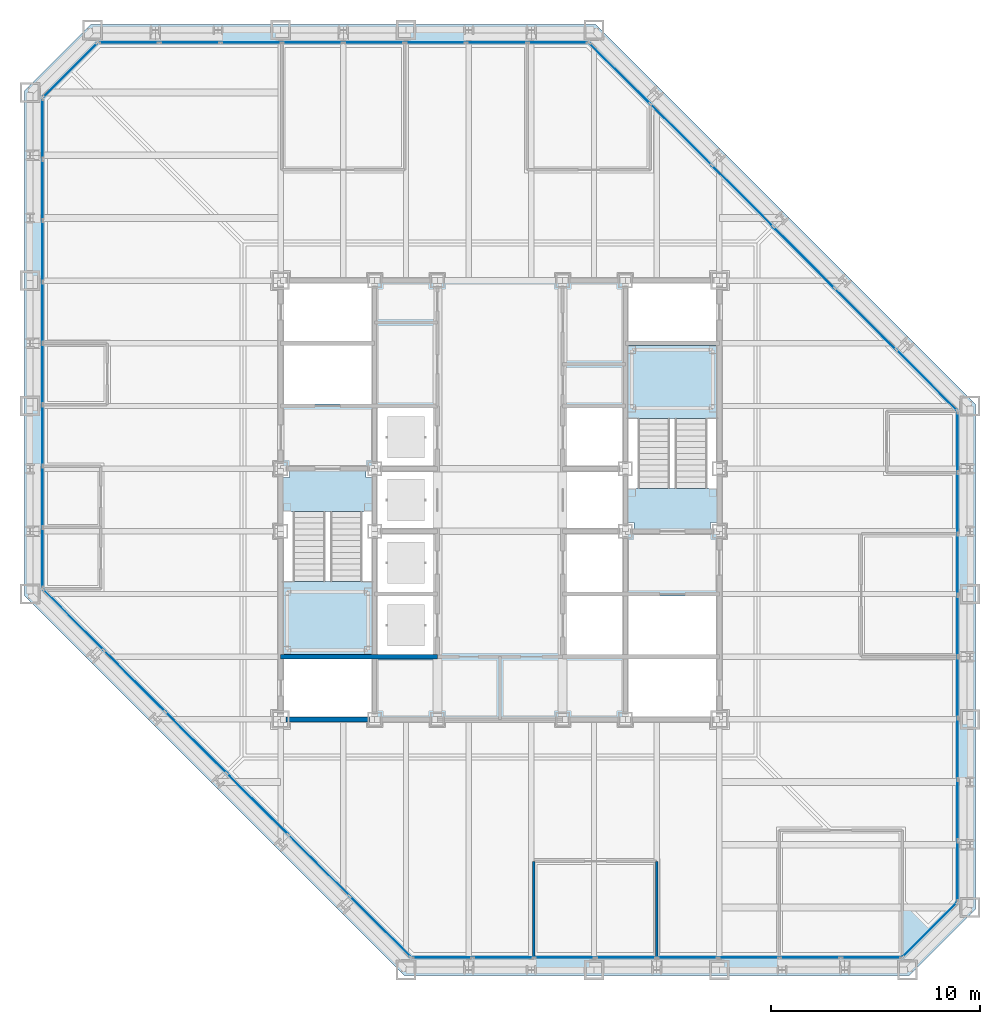
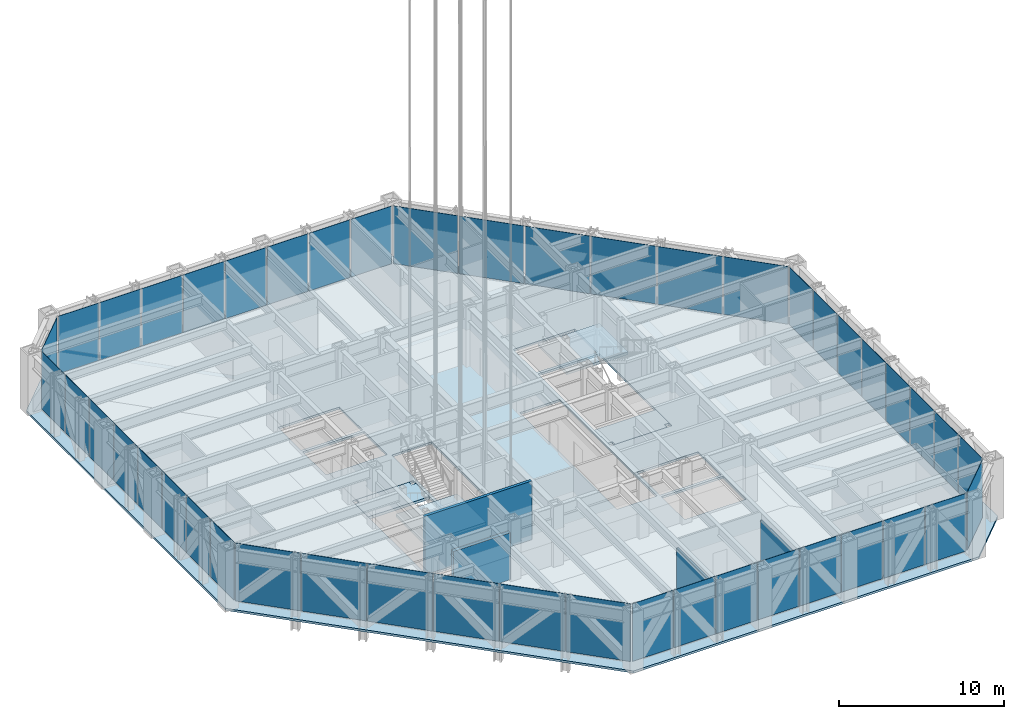
# One storey, part 9 of 26: 46 plates, 5 slabs, 4 walls, 10 elements without a shape of their own.
"""IFC4 building model written with IfcOpenShell, lengths in metres."""

import ifcopenshell
import ifcopenshell.guid

model = None  # the IFC model being written
_history = None  # IfcOwnerHistory: only IFC2X3 demands one
_inside = {}  # id of a spatial element -> (the spatial element, [elements in it])
_under = {}  # id of a project, library or spatial element -> (it, [spatial elements below it])
_declared = {}  # id of a project -> (the project, [libraries it declares])
_typed = {}  # id of a type object -> (the type object, [elements of that type])
_made_of = {}  # id of a material, layer set ... -> (it, [elements and type objects made of it])


def new_model(schema):
    """Start an empty IFC model of exactly this schema.

    Asked for "IFC4X3", IfcOpenShell would pick the latest addendum, in which some entities
    have other attributes; the version numbers below select the first issue.
    IFC2X3 requires an IfcOwnerHistory on every rooted entity: one is made here for all.
    """
    global model, _history
    if schema == "IFC4X3":
        model = ifcopenshell.file(schema_version=(4, 3, 0, 0))
    else:
        model = ifcopenshell.file(schema=schema)
    _inside.clear()
    _under.clear()
    _declared.clear()
    _typed.clear()
    _made_of.clear()
    _history = None
    if model.schema == "IFC2X3":
        org = make("IfcOrganization", Name="unknown")
        user = make(
            "IfcPersonAndOrganization",
            ThePerson=make("IfcPerson", FamilyName="unknown"),
            TheOrganization=org,
        )
        app = make(
            "IfcApplication",
            ApplicationDeveloper=org,
            Version="unknown",
            ApplicationFullName="unknown",
            ApplicationIdentifier="unknown",
        )
        _history = make(
            "IfcOwnerHistory",
            OwningUser=user,
            OwningApplication=app,
            ChangeAction="ADDED",
            CreationDate=0,
        )
    return model


def make(cls, **values):
    """One entity of the class cls with the attributes given. An attribute that is None is left unset."""
    return model.create_entity(
        cls, **{name: value for name, value in values.items() if value is not None}
    )


def rooted(cls, **values):
    """An entity with a GlobalId (a new one), such as an element, a storey or a relation."""
    return make(cls, GlobalId=ifcopenshell.guid.new(), OwnerHistory=_history, **values)


def si_unit(unit_type, name, prefix=None):
    """IfcSIUnit, for example si_unit("LENGTHUNIT", "METRE", prefix="MILLI")."""
    return make("IfcSIUnit", UnitType=unit_type, Prefix=prefix, Name=name)


def assignment(units):
    """IfcUnitAssignment: the units of a project."""
    return None if units is None else make("IfcUnitAssignment", Units=units)


def point(xyz):
    """IfcCartesianPoint."""
    return None if xyz is None else make("IfcCartesianPoint", Coordinates=xyz)


def direction(xyz):
    """IfcDirection."""
    return None if xyz is None else make("IfcDirection", DirectionRatios=xyz)


def frame(location, z_axis=None, x_axis=None):
    """IfcAxis2Placement3D, a coordinate frame: its origin and axes. An axis left out is left unset."""
    return make(
        "IfcAxis2Placement3D",
        Location=point(location),
        Axis=direction(z_axis),
        RefDirection=direction(x_axis),
    )


def frame_2d(location, x_axis=None):
    """IfcAxis2Placement2D, a coordinate frame in the plane: its origin and x axis."""
    return make(
        "IfcAxis2Placement2D", Location=point(location), RefDirection=direction(x_axis)
    )


def origin():
    """The frame at (0, 0, 0) with its axes left unset."""
    return frame((0.0, 0.0, 0.0))


def origin_2d():
    """The frame at (0, 0) in the plane with its x axis left unset."""
    return frame_2d((0.0, 0.0))


def place(relative_to, where):
    """IfcLocalPlacement: puts the frame where relative to a parent placement (None: the world)."""
    return make(
        "IfcLocalPlacement", PlacementRelTo=relative_to, RelativePlacement=where
    )


def context(
    kind, dimensions, precision=None, world=None, true_north=None, identifier=None
):
    """IfcGeometricRepresentationContext, for example the 3D "Model" context."""
    return make(
        "IfcGeometricRepresentationContext",
        ContextIdentifier=identifier,
        ContextType=kind,
        CoordinateSpaceDimension=dimensions,
        Precision=precision,
        WorldCoordinateSystem=world,
        TrueNorth=true_north,
    )


def subcontext(parent, identifier, kind, view, scale=None):
    """IfcGeometricRepresentationSubContext, for example "Body" below "Model"."""
    return make(
        "IfcGeometricRepresentationSubContext",
        ContextIdentifier=identifier,
        ContextType=kind,
        ParentContext=parent,
        TargetScale=scale,
        TargetView=view,
    )


def project(units=None, contexts=None):
    """IfcProject with its units and contexts."""
    return rooted(
        "IfcProject",
        Name="project",
        RepresentationContexts=contexts,
        UnitsInContext=assignment(units),
    )


def spatial(cls, under=None, at=None, **own):
    """A site, building, storey or space (cls), placed at a placement, below another one or the project."""
    s = rooted(cls, ObjectPlacement=at, **own)
    if under is not None:
        _under.setdefault(under.id(), (under, []))[1].append(s)
    return s


def polyline(points):
    """IfcPolyline through the points."""
    return make("IfcPolyline", Points=[point(p) for p in points])


def profile(cls, at=None, kind="AREA", **sizes):
    """A parametric profile (cls). Its sizes go by their IFC names, for example OverallWidth=200.0."""
    return make(cls, ProfileType=kind, Position=at, **sizes)


def rectangle(**sizes):
    """IfcRectangleProfileDef."""
    return profile("IfcRectangleProfileDef", **sizes)


def outline(outer, holes=None, kind="AREA"):
    """IfcArbitraryClosedProfileDef: a profile drawn as a closed curve; with holes, ...WithVoids."""
    if holes is None:
        return make("IfcArbitraryClosedProfileDef", ProfileType=kind, OuterCurve=outer)
    return make(
        "IfcArbitraryProfileDefWithVoids",
        ProfileType=kind,
        OuterCurve=outer,
        InnerCurves=holes,
    )


def extrude(swept, where, along, depth):
    """IfcExtrudedAreaSolid: the profile swept, set in the frame where, extruded along a direction by depth."""
    return make(
        "IfcExtrudedAreaSolid",
        SweptArea=swept,
        Position=where,
        ExtrudedDirection=direction(along),
        Depth=depth,
    )


def shape(context_of_items, identifier, shape_type, items):
    """IfcShapeRepresentation: the items that make up one representation, for example the "Body"."""
    return make(
        "IfcShapeRepresentation",
        ContextOfItems=context_of_items,
        RepresentationIdentifier=identifier,
        RepresentationType=shape_type,
        Items=items,
    )


def material(Name=None, Category=None):
    """IfcMaterial."""
    return make("IfcMaterial", Name=Name, Category=Category)


def layer(
    of_material, thickness, ventilated=None, Name=None, Category=None, Priority=None
):
    """IfcMaterialLayer: one layer of a wall or slab, of a material (None: an air gap)."""
    return make(
        "IfcMaterialLayer",
        Material=of_material,
        LayerThickness=thickness,
        IsVentilated=ventilated,
        Name=Name,
        Category=Category,
        Priority=Priority,
    )


def layer_set(layers, Name=None):
    """IfcMaterialLayerSet."""
    return make("IfcMaterialLayerSet", MaterialLayers=layers, LayerSetName=Name)


def made_of(thing, what):
    """Note that an element or type object is made of a material, layer set ...; save() writes the relation."""
    if what is not None:
        _made_of.setdefault(what.id(), (what, []))[1].append(thing)
    return thing


def type_object(cls, material=None, **own):
    """A type object (cls), such as IfcWallType, which elements share."""
    return made_of(rooted(cls, **own), material)


def element(
    cls,
    number,
    at=None,
    inside=None,
    cuts=None,
    type_object=None,
    material=None,
    context=None,
    identifier="Body",
    shape_type=None,
    held_by="IfcProductDefinitionShape",
    body=None,
    shapes=None,
    **own,
):
    """One element of the class cls, such as IfcWall. Its Tag is "e" and its number.

    at: its placement. inside: the storey or other place that contains it. cuts: it is an
    opening in that element (IfcRelVoidsElement). A single representation is given by context,
    identifier, shape_type and body (its items); several are given by shapes. held_by: the class
    of the entity that holds the representations. save() writes the other relations.
    """
    e = rooted(cls, Tag="e%d" % number, ObjectPlacement=at, **own)
    if body is not None:
        shapes = [shape(context, identifier, shape_type, body)]
    if shapes is not None:
        e.Representation = make(held_by, Representations=shapes)
    if inside is not None:
        _inside.setdefault(inside.id(), (inside, []))[1].append(e)
    if cuts is not None:
        rooted(
            "IfcRelVoidsElement", RelatingBuildingElement=cuts, RelatedOpeningElement=e
        )
    if type_object is not None:
        _typed.setdefault(type_object.id(), (type_object, []))[1].append(e)
    return made_of(e, material)


def aggregate(whole, parts):
    """IfcRelAggregates: a whole, such as a stair, and the parts it consists of."""
    return rooted("IfcRelAggregates", RelatingObject=whole, RelatedObjects=parts)


def save(model, path):
    """Write the relations noted so far, then the file.

    IfcRelAggregates (storeys below a building ...), IfcRelContainedInSpatialStructure (elements
    in a storey), IfcRelDefinesByType, IfcRelAssociatesMaterial and IfcRelDeclares: one each for
    every whole, place, type object, material and project.
    """
    for whole, parts in _under.values():
        aggregate(whole, parts)
    for where, things in _inside.values():
        rooted(
            "IfcRelContainedInSpatialStructure",
            RelatedElements=things,
            RelatingStructure=where,
        )
    for kind, things in _typed.values():
        rooted("IfcRelDefinesByType", RelatedObjects=things, RelatingType=kind)
    for what, things in _made_of.values():
        rooted("IfcRelAssociatesMaterial", RelatedObjects=things, RelatingMaterial=what)
    for by, libraries in _declared.values():
        rooted("IfcRelDeclares", RelatingContext=by, RelatedDefinitions=libraries)
    model.write(path)


model = new_model("IFC4")

# Units and contexts
model_context = context("Model", 3, precision=1e-05, world=origin(), true_north=direction((0.0, 1.0)))
body_context = subcontext(model_context, "Body", "Model", "MODEL_VIEW")
ifc_project = project(units=[si_unit("LENGTHUNIT", "METRE"), si_unit("AREAUNIT", "SQUARE_METRE"), si_unit("VOLUMEUNIT", "CUBIC_METRE"), si_unit("PLANEANGLEUNIT", "RADIAN"), si_unit("MASSUNIT", "GRAM", prefix="KILO")], contexts=[model_context])

# Site, building, storey
site_placement = place(None, origin())
site = spatial("IfcSite", under=ifc_project, at=site_placement, CompositionType="ELEMENT")
building_placement = place(site_placement, origin())
building = spatial("IfcBuilding", under=site, at=building_placement, Name="Chuquiago Exchange Tower", CompositionType="ELEMENT")
storey_placement = place(building_placement, frame((0.0, 0.0, 102.300048828125)))
storey = spatial("IfcBuildingStorey", under=building, at=storey_placement, Name="L21", CompositionType="ELEMENT", Elevation=102.300048828125)

# Curtain wall, plates
ifc_material_1 = material(Name="Aluminium curtain wall system", Category="aluminium")
ifc_layer_1 = layer(ifc_material_1, 0.22509765625)
ifc_layer_set_1 = layer_set([ifc_layer_1], Name="CW2 office curtain wall")
curtain_wall_type_1 = type_object("IfcCurtainWallType", Name="CW2 office curtain wall", PredefinedType="NOTDEFINED", material=ifc_layer_set_1)
curtain_wall_1_placement = place(storey_placement, origin())
curtain_wall_1 = element("IfcCurtainWall", 1, at=curtain_wall_1_placement, inside=storey, type_object=curtain_wall_type_1, Name="CW2 curtain wall L21", PredefinedType="NOTDEFINED")
ifc_material_2 = material(Name="Glass, insulating unit", Category="glass")
ifc_layer_2 = layer(ifc_material_2, 0.030029296875)
ifc_layer_set_2 = layer_set([ifc_layer_2], Name="CW2-P panel 30")
plate_type_1 = type_object("IfcPlateType", Name="CW2-P panel 30", PredefinedType="CURTAIN_PANEL", material=ifc_layer_set_2)
plate_1_placement = place(storey_placement, frame((25.59326171875, 0.60009765625, 0.06494140625), z_axis=(0.0, 0.0, 1.0), x_axis=(1.0, 0.0, 0.0)))
plate_1 = element("IfcPlate", 2, at=plate_1_placement, type_object=plate_type_1, Name="CW2 panel 3.1", PredefinedType="CURTAIN_PANEL", context=body_context, shape_type="SweptSolid", body=[
    extrude(rectangle(XDim=2.872802734375, YDim=0.030029296875, at=origin_2d()), origin(), (0.0, 0.0, 1.0), 4.27490234375),
])
plate_2_placement = place(storey_placement, frame((34.40673828125, 0.60009765625, 0.06494140625), z_axis=(0.0, 0.0, 1.0), x_axis=(1.0, 0.0, 0.0)))
plate_2 = element("IfcPlate", 3, at=plate_2_placement, type_object=plate_type_1, Name="CW2 panel 6.1", PredefinedType="CURTAIN_PANEL", context=body_context, shape_type="SweptSolid", body=[
    extrude(rectangle(XDim=2.872802734375, YDim=0.030029296875, at=origin_2d()), origin(), (0.0, 0.0, 1.0), 4.27490234375),
])

curtain_wall_2_placement = place(storey_placement, origin())
curtain_wall_2 = element("IfcCurtainWall", 4, at=curtain_wall_2_placement, inside=storey, type_object=curtain_wall_type_1, Name="CW2 curtain wall L21", PredefinedType="NOTDEFINED")
plate_3_placement = place(storey_placement, frame((44.39990234375, 10.59326171875, 0.06494140625), z_axis=(0.0, 0.0, 1.0), x_axis=(0.0, 1.0, 0.0)))
plate_3 = element("IfcPlate", 5, at=plate_3_placement, type_object=plate_type_1, Name="CW2 panel 3.1", PredefinedType="CURTAIN_PANEL", context=body_context, shape_type="SweptSolid", body=[
    extrude(rectangle(XDim=2.872802734375, YDim=0.030029296875, at=origin_2d()), origin(), (0.0, 0.0, 1.0), 4.27490234375),
])
plate_4_placement = place(storey_placement, frame((44.39990234375, 19.40673828125, 0.06494140625), z_axis=(0.0, 0.0, 1.0), x_axis=(0.0, 1.0, 0.0)))
plate_4 = element("IfcPlate", 6, at=plate_4_placement, type_object=plate_type_1, Name="CW2 panel 6.1", PredefinedType="CURTAIN_PANEL", context=body_context, shape_type="SweptSolid", body=[
    extrude(rectangle(XDim=2.872802734375, YDim=0.030029296875, at=origin_2d()), origin(), (0.0, 0.0, 1.0), 4.27490234375),
])

curtain_wall_3_placement = place(storey_placement, origin())
curtain_wall_3 = element("IfcCurtainWall", 7, at=curtain_wall_3_placement, inside=storey, type_object=curtain_wall_type_1, Name="CW2 curtain wall L21", PredefinedType="NOTDEFINED")
plate_5_placement = place(storey_placement, frame((19.40673828125, 44.39990234375, 0.06494140625), z_axis=(0.0, 0.0, 1.0), x_axis=(-1.0, 0.0, 0.0)))
plate_5 = element("IfcPlate", 8, at=plate_5_placement, type_object=plate_type_1, Name="CW2 panel 3.1", PredefinedType="CURTAIN_PANEL", context=body_context, shape_type="SweptSolid", body=[
    extrude(rectangle(XDim=2.872802734375, YDim=0.030029296875, at=origin_2d()), origin(), (0.0, 0.0, 1.0), 4.27490234375),
])
plate_6_placement = place(storey_placement, frame((10.59326171875, 44.39990234375, 0.06494140625), z_axis=(0.0, 0.0, 1.0), x_axis=(-1.0, 0.0, 0.0)))
plate_6 = element("IfcPlate", 9, at=plate_6_placement, type_object=plate_type_1, Name="CW2 panel 6.1", PredefinedType="CURTAIN_PANEL", context=body_context, shape_type="SweptSolid", body=[
    extrude(rectangle(XDim=2.872802734375, YDim=0.030029296875, at=origin_2d()), origin(), (0.0, 0.0, 1.0), 4.27490234375),
])

curtain_wall_4_placement = place(storey_placement, origin())
curtain_wall_4 = element("IfcCurtainWall", 10, at=curtain_wall_4_placement, inside=storey, type_object=curtain_wall_type_1, Name="CW2 curtain wall L21", PredefinedType="NOTDEFINED")
plate_7_placement = place(storey_placement, frame((0.60009765625, 34.40673828125, 0.06494140625), z_axis=(0.0, 0.0, 1.0), x_axis=(0.0, -1.0, 0.0)))
plate_7 = element("IfcPlate", 11, at=plate_7_placement, type_object=plate_type_1, Name="CW2 panel 3.1", PredefinedType="CURTAIN_PANEL", context=body_context, shape_type="SweptSolid", body=[
    extrude(rectangle(XDim=2.872802734375, YDim=0.030029296875, at=origin_2d()), origin(), (0.0, 0.0, 1.0), 4.27490234375),
])
plate_8_placement = place(storey_placement, frame((0.60009765625, 25.59326171875, 0.06494140625), z_axis=(0.0, 0.0, 1.0), x_axis=(0.0, -1.0, 0.0)))
plate_8 = element("IfcPlate", 12, at=plate_8_placement, type_object=plate_type_1, Name="CW2 panel 6.1", PredefinedType="CURTAIN_PANEL", context=body_context, shape_type="SweptSolid", body=[
    extrude(rectangle(XDim=2.872802734375, YDim=0.030029296875, at=origin_2d()), origin(), (0.0, 0.0, 1.0), 4.27490234375),
])

# Plate
ifc_material_3 = material(Name="Insulated spandrel panel, pale anodised aluminium", Category="aluminium")
ifc_layer_3 = layer(ifc_material_3, 0.030029296875)
ifc_layer_set_3 = layer_set([ifc_layer_3], Name="CW2-P spandrel panel 30")
plate_type_2 = type_object("IfcPlateType", Name="CW2-P spandrel panel 30", PredefinedType="CURTAIN_PANEL", material=ifc_layer_set_3)
plate_9_placement = place(storey_placement, frame((19.733642578125, 0.60009765625, 0.06494140625), z_axis=(0.0, 0.0, 1.0), x_axis=(1.0, 0.0, 0.0)))
plate_9 = element("IfcPlate", 13, at=plate_9_placement, type_object=plate_type_2, Name="CW2 panel 1.1", PredefinedType="CURTAIN_PANEL", context=body_context, shape_type="SweptSolid", body=[
    extrude(rectangle(XDim=2.84033203125, YDim=0.030029296875, at=origin_2d()), origin(), (0.0, 0.0, 1.0), 4.27490234375),
])

plate_10_placement = place(storey_placement, frame((22.6552734375, 0.60009765625, 0.06494140625), z_axis=(0.0, 0.0, 1.0), x_axis=(1.0, 0.0, 0.0)))
plate_10 = element("IfcPlate", 14, at=plate_10_placement, type_object=plate_type_2, Name="CW2 panel 2.1", PredefinedType="CURTAIN_PANEL", context=body_context, shape_type="SweptSolid", body=[
    extrude(rectangle(XDim=2.872802734375, YDim=0.030029296875, at=origin_2d()), origin(), (0.0, 0.0, 1.0), 4.27490234375),
])

plate_11_placement = place(storey_placement, frame((28.531005859375, 0.60009765625, 0.06494140625), z_axis=(0.0, 0.0, 1.0), x_axis=(1.0, 0.0, 0.0)))
plate_11 = element("IfcPlate", 15, at=plate_11_placement, type_object=plate_type_2, Name="CW2 panel 4.1", PredefinedType="CURTAIN_PANEL", context=body_context, shape_type="SweptSolid", body=[
    extrude(rectangle(XDim=2.872802734375, YDim=0.030029296875, at=origin_2d()), origin(), (0.0, 0.0, 1.0), 4.27490234375),
])

plate_12_placement = place(storey_placement, frame((31.468994140625, 0.60009765625, 0.06494140625), z_axis=(0.0, 0.0, 1.0), x_axis=(1.0, 0.0, 0.0)))
plate_12 = element("IfcPlate", 16, at=plate_12_placement, type_object=plate_type_2, Name="CW2 panel 5.1", PredefinedType="CURTAIN_PANEL", context=body_context, shape_type="SweptSolid", body=[
    extrude(rectangle(XDim=2.872802734375, YDim=0.030029296875, at=origin_2d()), origin(), (0.0, 0.0, 1.0), 4.27490234375),
])

plate_13_placement = place(storey_placement, frame((37.3447265625, 0.60009765625, 0.06494140625), z_axis=(0.0, 0.0, 1.0), x_axis=(1.0, 0.0, 0.0)))
plate_13 = element("IfcPlate", 17, at=plate_13_placement, type_object=plate_type_2, Name="CW2 panel 7.1", PredefinedType="CURTAIN_PANEL", context=body_context, shape_type="SweptSolid", body=[
    extrude(rectangle(XDim=2.872802734375, YDim=0.030029296875, at=origin_2d()), origin(), (0.0, 0.0, 1.0), 4.27490234375),
])

plate_14_placement = place(storey_placement, frame((40.266357421875, 0.60009765625, 0.06494140625), z_axis=(0.0, 0.0, 1.0), x_axis=(1.0, 0.0, 0.0)))
plate_14 = element("IfcPlate", 18, at=plate_14_placement, type_object=plate_type_2, Name="CW2 panel 8.1", PredefinedType="CURTAIN_PANEL", context=body_context, shape_type="SweptSolid", body=[
    extrude(rectangle(XDim=2.84033203125, YDim=0.030029296875, at=origin_2d()), origin(), (0.0, 0.0, 1.0), 4.27490234375),
])

aggregate(curtain_wall_1, [plate_9, plate_10, plate_1, plate_11, plate_12, plate_2, plate_13, plate_14])

plate_15_placement = place(storey_placement, frame((44.39990234375, 4.733642578125, 0.06494140625), z_axis=(0.0, 0.0, 1.0), x_axis=(0.0, 1.0, 0.0)))
plate_15 = element("IfcPlate", 19, at=plate_15_placement, type_object=plate_type_2, Name="CW2 panel 1.1", PredefinedType="CURTAIN_PANEL", context=body_context, shape_type="SweptSolid", body=[
    extrude(rectangle(XDim=2.84033203125, YDim=0.030029296875, at=origin_2d()), origin(), (0.0, 0.0, 1.0), 4.27490234375),
])

plate_16_placement = place(storey_placement, frame((44.39990234375, 7.6552734375, 0.06494140625), z_axis=(0.0, 0.0, 1.0), x_axis=(0.0, 1.0, 0.0)))
plate_16 = element("IfcPlate", 20, at=plate_16_placement, type_object=plate_type_2, Name="CW2 panel 2.1", PredefinedType="CURTAIN_PANEL", context=body_context, shape_type="SweptSolid", body=[
    extrude(rectangle(XDim=2.872802734375, YDim=0.030029296875, at=origin_2d()), origin(), (0.0, 0.0, 1.0), 4.27490234375),
])

plate_17_placement = place(storey_placement, frame((44.39990234375, 13.531005859375, 0.06494140625), z_axis=(0.0, 0.0, 1.0), x_axis=(0.0, 1.0, 0.0)))
plate_17 = element("IfcPlate", 21, at=plate_17_placement, type_object=plate_type_2, Name="CW2 panel 4.1", PredefinedType="CURTAIN_PANEL", context=body_context, shape_type="SweptSolid", body=[
    extrude(rectangle(XDim=2.872802734375, YDim=0.030029296875, at=origin_2d()), origin(), (0.0, 0.0, 1.0), 4.27490234375),
])

plate_18_placement = place(storey_placement, frame((44.39990234375, 16.468994140625, 0.06494140625), z_axis=(0.0, 0.0, 1.0), x_axis=(0.0, 1.0, 0.0)))
plate_18 = element("IfcPlate", 22, at=plate_18_placement, type_object=plate_type_2, Name="CW2 panel 5.1", PredefinedType="CURTAIN_PANEL", context=body_context, shape_type="SweptSolid", body=[
    extrude(rectangle(XDim=2.872802734375, YDim=0.030029296875, at=origin_2d()), origin(), (0.0, 0.0, 1.0), 4.27490234375),
])

plate_19_placement = place(storey_placement, frame((44.39990234375, 22.3447265625, 0.06494140625), z_axis=(0.0, 0.0, 1.0), x_axis=(0.0, 1.0, 0.0)))
plate_19 = element("IfcPlate", 23, at=plate_19_placement, type_object=plate_type_2, Name="CW2 panel 7.1", PredefinedType="CURTAIN_PANEL", context=body_context, shape_type="SweptSolid", body=[
    extrude(rectangle(XDim=2.872802734375, YDim=0.030029296875, at=origin_2d()), origin(), (0.0, 0.0, 1.0), 4.27490234375),
])

plate_20_placement = place(storey_placement, frame((44.39990234375, 25.266357421875, 0.06494140625), z_axis=(0.0, 0.0, 1.0), x_axis=(0.0, 1.0, 0.0)))
plate_20 = element("IfcPlate", 24, at=plate_20_placement, type_object=plate_type_2, Name="CW2 panel 8.1", PredefinedType="CURTAIN_PANEL", context=body_context, shape_type="SweptSolid", body=[
    extrude(rectangle(XDim=2.84033203125, YDim=0.030029296875, at=origin_2d()), origin(), (0.0, 0.0, 1.0), 4.27490234375),
])

aggregate(curtain_wall_2, [plate_15, plate_16, plate_3, plate_17, plate_18, plate_4, plate_19, plate_20])

plate_21_placement = place(storey_placement, frame((25.266357421875, 44.39990234375, 0.06494140625), z_axis=(0.0, 0.0, 1.0), x_axis=(-1.0, 0.0, 0.0)))
plate_21 = element("IfcPlate", 25, at=plate_21_placement, type_object=plate_type_2, Name="CW2 panel 1.1", PredefinedType="CURTAIN_PANEL", context=body_context, shape_type="SweptSolid", body=[
    extrude(rectangle(XDim=2.84033203125, YDim=0.030029296875, at=origin_2d()), origin(), (0.0, 0.0, 1.0), 4.27490234375),
])

plate_22_placement = place(storey_placement, frame((22.3447265625, 44.39990234375, 0.06494140625), z_axis=(0.0, 0.0, 1.0), x_axis=(-1.0, 0.0, 0.0)))
plate_22 = element("IfcPlate", 26, at=plate_22_placement, type_object=plate_type_2, Name="CW2 panel 2.1", PredefinedType="CURTAIN_PANEL", context=body_context, shape_type="SweptSolid", body=[
    extrude(rectangle(XDim=2.872802734375, YDim=0.030029296875, at=origin_2d()), origin(), (0.0, 0.0, 1.0), 4.27490234375),
])

plate_23_placement = place(storey_placement, frame((16.468994140625, 44.39990234375, 0.06494140625), z_axis=(0.0, 0.0, 1.0), x_axis=(-1.0, 0.0, 0.0)))
plate_23 = element("IfcPlate", 27, at=plate_23_placement, type_object=plate_type_2, Name="CW2 panel 4.1", PredefinedType="CURTAIN_PANEL", context=body_context, shape_type="SweptSolid", body=[
    extrude(rectangle(XDim=2.872802734375, YDim=0.030029296875, at=origin_2d()), origin(), (0.0, 0.0, 1.0), 4.27490234375),
])

plate_24_placement = place(storey_placement, frame((13.531005859375, 44.39990234375, 0.06494140625), z_axis=(0.0, 0.0, 1.0), x_axis=(-1.0, 0.0, 0.0)))
plate_24 = element("IfcPlate", 28, at=plate_24_placement, type_object=plate_type_2, Name="CW2 panel 5.1", PredefinedType="CURTAIN_PANEL", context=body_context, shape_type="SweptSolid", body=[
    extrude(rectangle(XDim=2.872802734375, YDim=0.030029296875, at=origin_2d()), origin(), (0.0, 0.0, 1.0), 4.27490234375),
])

plate_25_placement = place(storey_placement, frame((7.6552734375, 44.39990234375, 0.06494140625), z_axis=(0.0, 0.0, 1.0), x_axis=(-1.0, 0.0, 0.0)))
plate_25 = element("IfcPlate", 29, at=plate_25_placement, type_object=plate_type_2, Name="CW2 panel 7.1", PredefinedType="CURTAIN_PANEL", context=body_context, shape_type="SweptSolid", body=[
    extrude(rectangle(XDim=2.872802734375, YDim=0.030029296875, at=origin_2d()), origin(), (0.0, 0.0, 1.0), 4.27490234375),
])

plate_26_placement = place(storey_placement, frame((4.733642578125, 44.39990234375, 0.06494140625), z_axis=(0.0, 0.0, 1.0), x_axis=(-1.0, 0.0, 0.0)))
plate_26 = element("IfcPlate", 30, at=plate_26_placement, type_object=plate_type_2, Name="CW2 panel 8.1", PredefinedType="CURTAIN_PANEL", context=body_context, shape_type="SweptSolid", body=[
    extrude(rectangle(XDim=2.84033203125, YDim=0.030029296875, at=origin_2d()), origin(), (0.0, 0.0, 1.0), 4.27490234375),
])

aggregate(curtain_wall_3, [plate_21, plate_22, plate_5, plate_23, plate_24, plate_6, plate_25, plate_26])

plate_27_placement = place(storey_placement, frame((0.60009765625, 40.266357421875, 0.06494140625), z_axis=(0.0, 0.0, 1.0), x_axis=(0.0, -1.0, 0.0)))
plate_27 = element("IfcPlate", 31, at=plate_27_placement, type_object=plate_type_2, Name="CW2 panel 1.1", PredefinedType="CURTAIN_PANEL", context=body_context, shape_type="SweptSolid", body=[
    extrude(rectangle(XDim=2.84033203125, YDim=0.030029296875, at=origin_2d()), origin(), (0.0, 0.0, 1.0), 4.27490234375),
])

plate_28_placement = place(storey_placement, frame((0.60009765625, 37.3447265625, 0.06494140625), z_axis=(0.0, 0.0, 1.0), x_axis=(0.0, -1.0, 0.0)))
plate_28 = element("IfcPlate", 32, at=plate_28_placement, type_object=plate_type_2, Name="CW2 panel 2.1", PredefinedType="CURTAIN_PANEL", context=body_context, shape_type="SweptSolid", body=[
    extrude(rectangle(XDim=2.872802734375, YDim=0.030029296875, at=origin_2d()), origin(), (0.0, 0.0, 1.0), 4.27490234375),
])

plate_29_placement = place(storey_placement, frame((0.60009765625, 31.468994140625, 0.06494140625), z_axis=(0.0, 0.0, 1.0), x_axis=(0.0, -1.0, 0.0)))
plate_29 = element("IfcPlate", 33, at=plate_29_placement, type_object=plate_type_2, Name="CW2 panel 4.1", PredefinedType="CURTAIN_PANEL", context=body_context, shape_type="SweptSolid", body=[
    extrude(rectangle(XDim=2.872802734375, YDim=0.030029296875, at=origin_2d()), origin(), (0.0, 0.0, 1.0), 4.27490234375),
])

plate_30_placement = place(storey_placement, frame((0.60009765625, 28.531005859375, 0.06494140625), z_axis=(0.0, 0.0, 1.0), x_axis=(0.0, -1.0, 0.0)))
plate_30 = element("IfcPlate", 34, at=plate_30_placement, type_object=plate_type_2, Name="CW2 panel 5.1", PredefinedType="CURTAIN_PANEL", context=body_context, shape_type="SweptSolid", body=[
    extrude(rectangle(XDim=2.872802734375, YDim=0.030029296875, at=origin_2d()), origin(), (0.0, 0.0, 1.0), 4.27490234375),
])

plate_31_placement = place(storey_placement, frame((0.60009765625, 22.6552734375, 0.06494140625), z_axis=(0.0, 0.0, 1.0), x_axis=(0.0, -1.0, 0.0)))
plate_31 = element("IfcPlate", 35, at=plate_31_placement, type_object=plate_type_2, Name="CW2 panel 7.1", PredefinedType="CURTAIN_PANEL", context=body_context, shape_type="SweptSolid", body=[
    extrude(rectangle(XDim=2.872802734375, YDim=0.030029296875, at=origin_2d()), origin(), (0.0, 0.0, 1.0), 4.27490234375),
])

plate_32_placement = place(storey_placement, frame((0.60009765625, 19.733642578125, 0.06494140625), z_axis=(0.0, 0.0, 1.0), x_axis=(0.0, -1.0, 0.0)))
plate_32 = element("IfcPlate", 36, at=plate_32_placement, type_object=plate_type_2, Name="CW2 panel 8.1", PredefinedType="CURTAIN_PANEL", context=body_context, shape_type="SweptSolid", body=[
    extrude(rectangle(XDim=2.84033203125, YDim=0.030029296875, at=origin_2d()), origin(), (0.0, 0.0, 1.0), 4.27490234375),
])

aggregate(curtain_wall_4, [plate_27, plate_28, plate_7, plate_29, plate_30, plate_8, plate_31, plate_32])

# Curtain wall, plate
ifc_material_4 = material(Name="Aluminium curtain wall system", Category="aluminium")
ifc_layer_4 = layer(ifc_material_4, 0.199951171875)
ifc_layer_set_4 = layer_set([ifc_layer_4], Name="CW3 facet curtain wall")
curtain_wall_type_2 = type_object("IfcCurtainWallType", Name="CW3 facet curtain wall", PredefinedType="NOTDEFINED", material=ifc_layer_set_4)
curtain_wall_5_placement = place(storey_placement, origin())
curtain_wall_5 = element("IfcCurtainWall", 37, at=curtain_wall_5_placement, inside=storey, type_object=curtain_wall_type_2, Name="CW3 curtain wall L21", PredefinedType="NOTDEFINED")
ifc_material_5 = material(Name="Insulated spandrel panel, pale anodised aluminium", Category="aluminium")
ifc_layer_5 = layer(ifc_material_5, 0.030029296875)
ifc_layer_set_5 = layer_set([ifc_layer_5], Name="CW3-P spandrel panel 30")
plate_type_3 = type_object("IfcPlateType", Name="CW3-P spandrel panel 30", PredefinedType="CURTAIN_PANEL", material=ifc_layer_set_5)
plate_33_placement = place(storey_placement, frame((43.07568359375, 1.92431640625, 0.06494140625), z_axis=(0.0, 0.0, 1.0), x_axis=(0.707106781187, 0.707106781187, 0.0)))
plate_33 = element("IfcPlate", 38, at=plate_33_placement, type_object=plate_type_3, Name="CW3 panel 1.1", PredefinedType="CURTAIN_PANEL", context=body_context, shape_type="SweptSolid", body=[
    extrude(rectangle(XDim=3.615478515625, YDim=0.030029296875, at=origin_2d()), origin(), (0.0, 0.0, 1.0), 4.27490234375),
])
aggregate(curtain_wall_5, [plate_33])

# Curtain wall, plates
curtain_wall_6_placement = place(storey_placement, origin())
curtain_wall_6 = element("IfcCurtainWall", 39, at=curtain_wall_6_placement, inside=storey, type_object=curtain_wall_type_2, Name="CW3 curtain wall L21", PredefinedType="NOTDEFINED")
plate_34_placement = place(storey_placement, frame((42.917724609375, 28.233642578125, 0.06494140625), z_axis=(0.0, 0.0, 1.0), x_axis=(-0.707106781187, 0.707106781187, 0.0)))
plate_34 = element("IfcPlate", 40, at=plate_34_placement, type_object=plate_type_3, Name="CW3 panel 1.1", PredefinedType="CURTAIN_PANEL", context=body_context, shape_type="SweptSolid", body=[
    extrude(rectangle(XDim=4.062255859375, YDim=0.030029296875, at=origin_2d()), origin(), (0.0, 0.0, 1.0), 4.27490234375),
])
plate_35_placement = place(storey_placement, frame((39.98779296875, 31.16357421875, 0.06494140625), z_axis=(0.0, 0.0, 1.0), x_axis=(-0.707106781187, 0.707106781187, 0.0)))
plate_35 = element("IfcPlate", 41, at=plate_35_placement, type_object=plate_type_3, Name="CW3 panel 2.1", PredefinedType="CURTAIN_PANEL", context=body_context, shape_type="SweptSolid", body=[
    extrude(rectangle(XDim=4.0947265625, YDim=0.030029296875, at=origin_2d()), origin(), (0.0, 0.0, 1.0), 4.27490234375),
])
plate_36_placement = place(storey_placement, frame((37.04638671875, 34.10498046875, 0.06494140625), z_axis=(0.0, 0.0, 1.0), x_axis=(-0.707106781187, 0.707106781187, 0.0)))
plate_36 = element("IfcPlate", 42, at=plate_36_placement, type_object=plate_type_3, Name="CW3 panel 3.1", PredefinedType="CURTAIN_PANEL", context=body_context, shape_type="SweptSolid", body=[
    extrude(rectangle(XDim=4.0947265625, YDim=0.030029296875, at=origin_2d()), origin(), (0.0, 0.0, 1.0), 4.27490234375),
])
plate_37_placement = place(storey_placement, frame((34.10498046875, 37.04638671875, 0.06494140625), z_axis=(0.0, 0.0, 1.0), x_axis=(-0.707106781187, 0.707106781187, 0.0)))
plate_37 = element("IfcPlate", 43, at=plate_37_placement, type_object=plate_type_3, Name="CW3 panel 4.1", PredefinedType="CURTAIN_PANEL", context=body_context, shape_type="SweptSolid", body=[
    extrude(rectangle(XDim=4.0947265625, YDim=0.030029296875, at=origin_2d()), origin(), (0.0, 0.0, 1.0), 4.27490234375),
])
plate_38_placement = place(storey_placement, frame((31.16357421875, 39.98779296875, 0.06494140625), z_axis=(0.0, 0.0, 1.0), x_axis=(-0.707106781187, 0.707106781187, 0.0)))
plate_38 = element("IfcPlate", 44, at=plate_38_placement, type_object=plate_type_3, Name="CW3 panel 5.1", PredefinedType="CURTAIN_PANEL", context=body_context, shape_type="SweptSolid", body=[
    extrude(rectangle(XDim=4.0947265625, YDim=0.030029296875, at=origin_2d()), origin(), (0.0, 0.0, 1.0), 4.27490234375),
])
plate_39_placement = place(storey_placement, frame((28.233642578125, 42.917724609375, 0.06494140625), z_axis=(0.0, 0.0, 1.0), x_axis=(-0.707106781187, 0.707106781187, 0.0)))
plate_39 = element("IfcPlate", 45, at=plate_39_placement, type_object=plate_type_3, Name="CW3 panel 6.1", PredefinedType="CURTAIN_PANEL", context=body_context, shape_type="SweptSolid", body=[
    extrude(rectangle(XDim=4.062255859375, YDim=0.030029296875, at=origin_2d()), origin(), (0.0, 0.0, 1.0), 4.27490234375),
])
aggregate(curtain_wall_6, [plate_34, plate_35, plate_36, plate_37, plate_38, plate_39])

# Curtain wall, plate
curtain_wall_7_placement = place(storey_placement, origin())
curtain_wall_7 = element("IfcCurtainWall", 46, at=curtain_wall_7_placement, inside=storey, type_object=curtain_wall_type_2, Name="CW3 curtain wall L21", PredefinedType="NOTDEFINED")
plate_40_placement = place(storey_placement, frame((1.92431640625, 43.07568359375, 0.06494140625), z_axis=(0.0, 0.0, 1.0), x_axis=(-0.707106781187, -0.707106781187, 0.0)))
plate_40 = element("IfcPlate", 47, at=plate_40_placement, type_object=plate_type_3, Name="CW3 panel 1.1", PredefinedType="CURTAIN_PANEL", context=body_context, shape_type="SweptSolid", body=[
    extrude(rectangle(XDim=3.615478515625, YDim=0.030029296875, at=origin_2d()), origin(), (0.0, 0.0, 1.0), 4.27490234375),
])
aggregate(curtain_wall_7, [plate_40])

# Curtain wall, plates
curtain_wall_8_placement = place(storey_placement, origin())
curtain_wall_8 = element("IfcCurtainWall", 48, at=curtain_wall_8_placement, inside=storey, type_object=curtain_wall_type_2, Name="CW3 curtain wall L21", PredefinedType="NOTDEFINED")
plate_41_placement = place(storey_placement, frame((2.082275390625, 16.766357421875, 0.06494140625), z_axis=(0.0, 0.0, 1.0), x_axis=(0.707106781187, -0.707106781187, 0.0)))
plate_41 = element("IfcPlate", 49, at=plate_41_placement, type_object=plate_type_3, Name="CW3 panel 1.1", PredefinedType="CURTAIN_PANEL", context=body_context, shape_type="SweptSolid", body=[
    extrude(rectangle(XDim=4.062255859375, YDim=0.030029296875, at=origin_2d()), origin(), (0.0, 0.0, 1.0), 4.27490234375),
])
plate_42_placement = place(storey_placement, frame((5.01220703125, 13.83642578125, 0.06494140625), z_axis=(0.0, 0.0, 1.0), x_axis=(0.707106781187, -0.707106781187, 0.0)))
plate_42 = element("IfcPlate", 50, at=plate_42_placement, type_object=plate_type_3, Name="CW3 panel 2.1", PredefinedType="CURTAIN_PANEL", context=body_context, shape_type="SweptSolid", body=[
    extrude(rectangle(XDim=4.0947265625, YDim=0.030029296875, at=origin_2d()), origin(), (0.0, 0.0, 1.0), 4.27490234375),
])
plate_43_placement = place(storey_placement, frame((7.95361328125, 10.89501953125, 0.06494140625), z_axis=(0.0, 0.0, 1.0), x_axis=(0.707106781187, -0.707106781187, 0.0)))
plate_43 = element("IfcPlate", 51, at=plate_43_placement, type_object=plate_type_3, Name="CW3 panel 3.1", PredefinedType="CURTAIN_PANEL", context=body_context, shape_type="SweptSolid", body=[
    extrude(rectangle(XDim=4.0947265625, YDim=0.030029296875, at=origin_2d()), origin(), (0.0, 0.0, 1.0), 4.27490234375),
])
plate_44_placement = place(storey_placement, frame((10.89501953125, 7.95361328125, 0.06494140625), z_axis=(0.0, 0.0, 1.0), x_axis=(0.707106781187, -0.707106781187, 0.0)))
plate_44 = element("IfcPlate", 52, at=plate_44_placement, type_object=plate_type_3, Name="CW3 panel 4.1", PredefinedType="CURTAIN_PANEL", context=body_context, shape_type="SweptSolid", body=[
    extrude(rectangle(XDim=4.0947265625, YDim=0.030029296875, at=origin_2d()), origin(), (0.0, 0.0, 1.0), 4.27490234375),
])
plate_45_placement = place(storey_placement, frame((13.83642578125, 5.01220703125, 0.06494140625), z_axis=(0.0, 0.0, 1.0), x_axis=(0.707106781187, -0.707106781187, 0.0)))
plate_45 = element("IfcPlate", 53, at=plate_45_placement, type_object=plate_type_3, Name="CW3 panel 5.1", PredefinedType="CURTAIN_PANEL", context=body_context, shape_type="SweptSolid", body=[
    extrude(rectangle(XDim=4.0947265625, YDim=0.030029296875, at=origin_2d()), origin(), (0.0, 0.0, 1.0), 4.27490234375),
])
plate_46_placement = place(storey_placement, frame((16.766357421875, 2.082275390625, 0.06494140625), z_axis=(0.0, 0.0, 1.0), x_axis=(0.707106781187, -0.707106781187, 0.0)))
plate_46 = element("IfcPlate", 54, at=plate_46_placement, type_object=plate_type_3, Name="CW3 panel 6.1", PredefinedType="CURTAIN_PANEL", context=body_context, shape_type="SweptSolid", body=[
    extrude(rectangle(XDim=4.062255859375, YDim=0.030029296875, at=origin_2d()), origin(), (0.0, 0.0, 1.0), 4.27490234375),
])
aggregate(curtain_wall_8, [plate_41, plate_42, plate_43, plate_44, plate_45, plate_46])

# Slab
ifc_material_6 = material(Name="Concrete C30/37", Category="concrete")
ifc_layer_6 = layer(ifc_material_6, 0.159912109375)
ifc_layer_set_6 = layer_set([ifc_layer_6], Name="FS1 composite floor 160")
slab_type_1 = type_object("IfcSlabType", Name="FS1 composite floor 160", PredefinedType="FLOOR", material=ifc_layer_set_6)
slab_1_placement = place(storey_placement, frame((0.0, 0.0, -0.16015625)))
element("IfcSlab", 55, at=slab_1_placement, inside=storey, type_object=slab_type_1, Name="L21 floor slab", PredefinedType="FLOOR", context=body_context, shape_type="SweptSolid", body=[
    extrude(outline(polyline([(17.896484375, -0.25), (-0.25, 17.896484375), (-0.25, 42.103515625), (2.896484375, 45.25), (27.103515625, 45.25), (45.25, 27.103515625), (45.25, 2.896484375), (42.103515625, -0.25), (17.896484375, -0.25)]), holes=[polyline([(16.39990234375, 15.10009765625), (12.10009765625, 15.10009765625), (12.10009765625, 23.89990234375), (16.39990234375, 23.89990234375), (16.39990234375, 15.10009765625)]), polyline([(32.89990234375, 21.10009765625), (28.60009765625, 21.10009765625), (28.60009765625, 29.89990234375), (32.89990234375, 29.89990234375), (32.89990234375, 21.10009765625)]), polyline([(16.39990234375, 12.10009765625), (12.10009765625, 12.10009765625), (12.10009765625, 14.89990234375), (16.39990234375, 14.89990234375), (16.39990234375, 12.10009765625)]), polyline([(16.39990234375, 30.10009765625), (12.10009765625, 30.10009765625), (12.10009765625, 32.89990234375), (16.39990234375, 32.89990234375), (16.39990234375, 30.10009765625)]), polyline([(32.89990234375, 12.10009765625), (28.60009765625, 12.10009765625), (28.60009765625, 14.89990234375), (32.89990234375, 14.89990234375), (32.89990234375, 12.10009765625)]), polyline([(32.89990234375, 30.10009765625), (28.60009765625, 30.10009765625), (28.60009765625, 32.89990234375), (32.89990234375, 32.89990234375), (32.89990234375, 30.10009765625)]), polyline([(16.39990234375, 27.10009765625), (12.10009765625, 27.10009765625), (12.10009765625, 29.89990234375), (16.39990234375, 29.89990234375), (16.39990234375, 27.10009765625)]), polyline([(32.89990234375, 15.10009765625), (28.60009765625, 15.10009765625), (28.60009765625, 17.89990234375), (32.89990234375, 17.89990234375), (32.89990234375, 15.10009765625)]), polyline([(19.39990234375, 15.10009765625), (16.60009765625, 15.10009765625), (16.60009765625, 26.89990234375), (19.39990234375, 26.89990234375), (19.39990234375, 15.10009765625)]), polyline([(28.39990234375, 15.10009765625), (25.60009765625, 15.10009765625), (25.60009765625, 26.89990234375), (28.39990234375, 26.89990234375), (28.39990234375, 15.10009765625)])]), origin(), (0.0, 0.0, 1.0), 0.16015625),
])

# Stair, slabs
ifc_material_7 = material(Name="Concrete C30/37, precast", Category="concrete")
stair_type_1 = type_object("IfcStairType", Name="ST1 half-turn stair 4500", PredefinedType="HALF_TURN_STAIR", material=ifc_material_7)
stair_1_placement = place(storey_placement, origin())
stair_1 = element("IfcStair", 56, at=stair_1_placement, inside=storey, type_object=stair_type_1, Name="Stair ST1 L21", PredefinedType="HALF_TURN_STAIR")
ifc_material_8 = material(Name="Concrete C30/37, precast", Category="concrete")
ifc_layer_7 = layer(ifc_material_8, 0.199951171875)
ifc_layer_set_7 = layer_set([ifc_layer_7], Name="ST-L landing 200")
slab_type_2 = type_object("IfcSlabType", Name="ST-L landing 200", PredefinedType="LANDING", material=ifc_layer_set_7)
slab_2_placement = place(storey_placement, frame((0.0, 0.0, -0.199951171875)))
slab_2 = element("IfcSlab", 57, at=slab_2_placement, type_object=slab_type_2, Name="ST1 landing 1", PredefinedType="LANDING", context=body_context, shape_type="SweptSolid", body=[
    extrude(outline(polyline([(12.425048828125, 23.89990234375), (16.074951171875, 23.89990234375), (16.074951171875, 23.574951171875), (16.39990234375, 23.574951171875), (16.39990234375, 21.949951171875), (12.10009765625, 21.949951171875), (12.10009765625, 23.574951171875), (12.425048828125, 23.574951171875), (12.425048828125, 23.89990234375)])), origin(), (0.0, 0.0, 1.0), 0.199951171875),
])
slab_3_placement = place(storey_placement, frame((0.0, 0.0, 2.050048828125)))
slab_3 = element("IfcSlab", 58, at=slab_3_placement, type_object=slab_type_2, Name="ST1 landing 2", PredefinedType="LANDING", context=body_context, shape_type="SweptSolid", body=[
    extrude(outline(polyline([(12.10009765625, 18.590087890625), (16.39990234375, 18.590087890625), (16.39990234375, 15.10009765625), (12.10009765625, 15.10009765625), (12.10009765625, 18.590087890625)])), origin(), (0.0, 0.0, 1.0), 0.199951171875),
])
aggregate(stair_1, [slab_2, slab_3])

ifc_material_9 = material(Name="Concrete C30/37, precast", Category="concrete")
stair_type_2 = type_object("IfcStairType", Name="ST2 half-turn stair 4500", PredefinedType="HALF_TURN_STAIR", material=ifc_material_9)
stair_2_placement = place(storey_placement, origin())
stair_2 = element("IfcStair", 59, at=stair_2_placement, inside=storey, type_object=stair_type_2, Name="Stair ST2 L21", PredefinedType="HALF_TURN_STAIR")
slab_4_placement = place(storey_placement, frame((0.0, 0.0, -0.199951171875)))
slab_4 = element("IfcSlab", 60, at=slab_4_placement, type_object=slab_type_2, Name="ST2 landing 1", PredefinedType="LANDING", context=body_context, shape_type="SweptSolid", body=[
    extrude(outline(polyline([(32.574951171875, 21.425048828125), (32.574951171875, 21.10009765625), (28.925048828125, 21.10009765625), (28.925048828125, 21.425048828125), (28.60009765625, 21.425048828125), (28.60009765625, 23.050048828125), (32.89990234375, 23.050048828125), (32.89990234375, 21.425048828125), (32.574951171875, 21.425048828125)])), origin(), (0.0, 0.0, 1.0), 0.199951171875),
])
slab_5_placement = place(storey_placement, frame((0.0, 0.0, 2.050048828125)))
slab_5 = element("IfcSlab", 61, at=slab_5_placement, type_object=slab_type_2, Name="ST2 landing 2", PredefinedType="LANDING", context=body_context, shape_type="SweptSolid", body=[
    extrude(outline(polyline([(28.60009765625, 29.89990234375), (32.89990234375, 29.89990234375), (32.89990234375, 26.409912109375), (28.60009765625, 26.409912109375), (28.60009765625, 29.89990234375)])), origin(), (0.0, 0.0, 1.0), 0.199951171875),
])
aggregate(stair_2, [slab_4, slab_5])

# Walls
ifc_material_10 = material(Name="Concrete masonry, fully grouted", Category="masonry")
ifc_layer_8 = layer(ifc_material_10, 0.25)
ifc_layer_set_8 = layer_set([ifc_layer_8], Name="W1 core wall 250")
wall_type_1 = type_object("IfcWallType", Name="W1 core wall 250", PredefinedType="SOLIDWALL", material=ifc_layer_set_8)
wall_1_placement = place(storey_placement, frame((12.25, 12.0, 0.0), z_axis=(0.0, 0.0, 1.0), x_axis=(1.0, 0.0, 0.0)))
element("IfcWall", 62, at=wall_1_placement, inside=storey, type_object=wall_type_1, Name="CW-L21-01-0", PredefinedType="SOLIDWALL", context=body_context, shape_type="SweptSolid", body=[
    extrude(rectangle(XDim=4.0, YDim=0.25, at=frame_2d((2.0, 0.0))), origin(), (0.0, 0.0, 1.0), 3.4814453125),
])
ifc_material_11 = material(Name="Concrete masonry, fully grouted", Category="masonry")
ifc_layer_9 = layer(ifc_material_11, 0.199951171875)
ifc_layer_set_9 = layer_set([ifc_layer_9], Name="W2 shaft wall 200")
wall_type_2 = type_object("IfcWallType", Name="W2 shaft wall 200", PredefinedType="SOLIDWALL", material=ifc_layer_set_9)
wall_2_placement = place(storey_placement, frame((12.0, 15.0, 0.0), z_axis=(0.0, 0.0, 1.0), x_axis=(1.0, 0.0, 0.0)))
element("IfcWall", 63, at=wall_2_placement, inside=storey, type_object=wall_type_2, Name="CW-L21-03-0", PredefinedType="SOLIDWALL", context=body_context, shape_type="SweptSolid", body=[
    extrude(rectangle(XDim=7.5, YDim=0.199951171875, at=frame_2d((3.75, 0.0))), origin(), (0.0, 0.0, 1.0), 4.33984375),
])
ifc_material_12 = material(Name="Gypsum board on steel studs", Category="steel")
ifc_layer_10 = layer(ifc_material_12, 0.1201171875)
ifc_layer_set_10 = layer_set([ifc_layer_10], Name="W4 partition 120")
wall_type_3 = type_object("IfcWallType", Name="W4 partition 120", PredefinedType="PARTITIONING", material=ifc_layer_set_10)
for number, where, z_axis, x_axis, name in (
    (64, (24.124267578125, 0.652587890625, 0.0), (0.0, 0.0, 1.0), (0.0, 1.0, 0.0), "PW-L21-S02412"),
    (65, (30.0, 0.652587890625, 0.0), (0.0, 0.0, 1.0), (0.0, 1.0, 0.0), "PW-L21-S03000"),
):
    element("IfcWall", number, at=place(storey_placement, frame(where, z_axis=z_axis, x_axis=x_axis)), inside=storey, type_object=wall_type_3, Name=name, PredefinedType="PARTITIONING", context=body_context, shape_type="SweptSolid", body=[
        extrude(rectangle(XDim=4.54736328125, YDim=0.1201171875, at=frame_2d((2.273681640625, 0.0))), origin(), (0.0, 0.0, 1.0), 3.65673828125),
    ])

save(model, "model.ifc")
